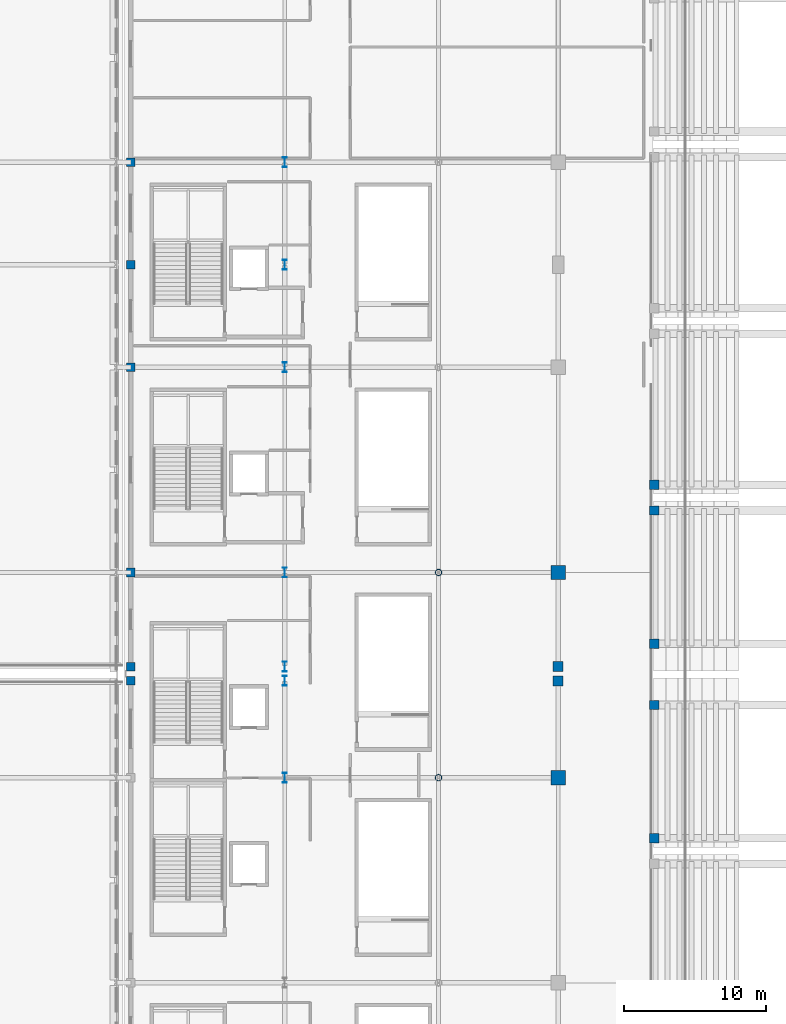
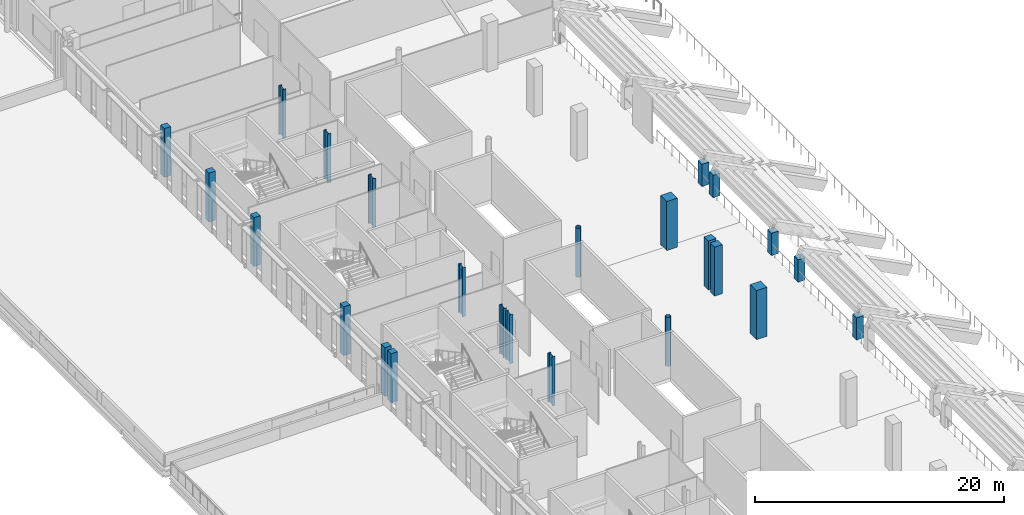
# One storey, part 4 of 74: 24 columns.
"""IFC4 building model written with IfcOpenShell, lengths in metres."""

from ifc_helpers import new_model, si_unit, direction, frame, origin, origin_2d, place, context, subcontext, project, spatial, rectangle, hollow_circle, i_section, extrude, material, material_profile, profile_set, type_object, element, save


model = new_model("IFC4")

# Units and contexts
model_context = context("Model", 3, precision=1e-05, world=origin(), true_north=direction((0.0, 1.0)))
body_context = subcontext(model_context, "Body", "Model", "MODEL_VIEW")
ifc_project = project(units=[si_unit("LENGTHUNIT", "METRE"), si_unit("AREAUNIT", "SQUARE_METRE"), si_unit("VOLUMEUNIT", "CUBIC_METRE"), si_unit("PLANEANGLEUNIT", "RADIAN"), si_unit("MASSUNIT", "GRAM", prefix="KILO")], contexts=[model_context])

# Site, building, storey
site_placement = place(None, origin())
site = spatial("IfcSite", under=ifc_project, at=site_placement, CompositionType="ELEMENT")
building_placement = place(site_placement, origin())
building = spatial("IfcBuilding", under=site, at=building_placement, Name="Koshinbarg Plaza Stadium", CompositionType="ELEMENT")
storey_placement = place(building_placement, frame((0.0, 0.0, 15.0)))
storey = spatial("IfcBuildingStorey", under=building, at=storey_placement, Name="L03", CompositionType="ELEMENT", Elevation=15.0)

# Columns
ifc_material_1 = material(Name="Concrete C40/50", Category="concrete")
ifc_material_profile_1 = material_profile(ifc_material_1, rectangle(XDim=0.60009765625, YDim=0.60009765625, at=origin_2d()), Name="RC 600x600")
ifc_profile_set_1 = profile_set([ifc_material_profile_1], Name="Concrete C40/50")
column_type_1 = type_object("IfcColumnType", Name="COL-RC-04", PredefinedType="COLUMN", material=ifc_profile_set_1)
for number, where, z_axis, x_axis, name in (
    (1, (24.60009765625, 75.5, 0.0), (0.0, 0.0, 1.0), (1.0, 0.0, 0.0), "L03 column 5/K"),
    (2, (24.60009765625, 76.5, 0.0), (0.0, 0.0, 1.0), (1.0, 0.0, 0.0), "L03 column 5/L"),
    (3, (24.60009765625, 83.10009765625, 0.0), (0.0, 0.0, 1.0), (1.0, 0.0, 0.0), "L03 column 5/M"),
    (4, (24.60009765625, 97.5, 0.0), (0.0, 0.0, 1.0), (1.0, 0.0, 0.0), "L03 column 5/N"),
    (5, (24.60009765625, 104.699951171875, 0.0), (0.0, 0.0, 1.0), (1.0, 0.0, 0.0), "L03 column 5/P"),
    (6, (24.60009765625, 111.89990234375, 0.0), (0.0, 0.0, 1.0), (1.0, 0.0, 0.0), "L03 column 5/Q"),
):
    element("IfcColumn", number, at=place(storey_placement, frame(where, z_axis=z_axis, x_axis=x_axis)), inside=storey, type_object=column_type_1, Name=name, PredefinedType="COLUMN", context=body_context, shape_type="SweptSolid", body=[
        extrude(rectangle(XDim=0.60009765625, YDim=0.60009765625, at=origin_2d()), origin(), (0.0, 0.0, 1.0), 4.800048828125),
    ])
ifc_material_profile_2 = material_profile(ifc_material_1, rectangle(XDim=0.64990234375, YDim=0.64990234375, at=origin_2d()), Name="RC 650x650")
ifc_profile_set_2 = profile_set([ifc_material_profile_2], Name="Concrete C40/50")
column_type_2 = type_object("IfcColumnType", Name="COL-RC-05", PredefinedType="COLUMN", material=ifc_profile_set_2)
for number, where, z_axis, x_axis, name in (
    (7, (61.340087890625, 64.449951171875, 0.0), (0.0, 0.0, 1.0), (1.0, 0.0, 0.0), "L03 bowl raker column UT-W04-L-CB"),
    (8, (61.340087890625, 73.800048828125, 0.0), (0.0, 0.0, 1.0), (1.0, 0.0, 0.0), "L03 bowl raker column UT-W04-R-CB"),
    (9, (61.340087890625, 78.10009765625, 0.0), (0.0, 0.0, 1.0), (1.0, 0.0, 0.0), "L03 bowl raker column UT-W05-L-CB"),
    (10, (61.340087890625, 87.449951171875, 0.0), (0.0, 0.0, 1.0), (1.0, 0.0, 0.0), "L03 bowl raker column UT-W05-R-CB"),
    (11, (61.340087890625, 89.25, 0.0), (0.0, 0.0, 1.0), (1.0, 0.0, 0.0), "L03 bowl raker column UT-W06-L-CB"),
):
    element("IfcColumn", number, at=place(storey_placement, frame(where, z_axis=z_axis, x_axis=x_axis)), inside=storey, type_object=column_type_2, Name=name, PredefinedType="COLUMN", context=body_context, shape_type="SweptSolid", body=[
        extrude(rectangle(XDim=0.64990234375, YDim=0.64990234375, at=origin_2d()), origin(), (0.0, 0.0, 1.0), 2.18798828125),
    ])
ifc_material_profile_3 = material_profile(ifc_material_1, rectangle(XDim=0.699951171875, YDim=0.699951171875, at=origin_2d()), Name="RC 700x700")
ifc_profile_set_3 = profile_set([ifc_material_profile_3], Name="Concrete C40/50")
column_type_3 = type_object("IfcColumnType", Name="COL-RC-06", PredefinedType="COLUMN", material=ifc_profile_set_3)
for number, where, z_axis, x_axis, name in (
    (12, (54.60009765625, 75.5, 0.0), (0.0, 0.0, 1.0), (1.0, 0.0, 0.0), "L03 column 8/K"),
    (13, (54.60009765625, 76.5, 0.0), (0.0, 0.0, 1.0), (1.0, 0.0, 0.0), "L03 column 8/L"),
):
    element("IfcColumn", number, at=place(storey_placement, frame(where, z_axis=z_axis, x_axis=x_axis)), inside=storey, type_object=column_type_3, Name=name, PredefinedType="COLUMN", context=body_context, shape_type="SweptSolid", body=[
        extrude(rectangle(XDim=0.699951171875, YDim=0.699951171875, at=origin_2d()), origin(), (0.0, 0.0, 1.0), 4.800048828125),
    ])
ifc_material_profile_4 = material_profile(ifc_material_1, rectangle(XDim=1.0, YDim=1.0, at=origin_2d()), Name="RC 1000x1000")
ifc_profile_set_4 = profile_set([ifc_material_profile_4], Name="Concrete C40/50")
column_type_4 = type_object("IfcColumnType", Name="COL-RC-11", PredefinedType="COLUMN", material=ifc_profile_set_4)
for number, where, z_axis, x_axis, name in (
    (14, (54.60009765625, 68.699951171875, 0.0), (0.0, 0.0, 1.0), (1.0, 0.0, 0.0), "L03 column 8/J"),
    (15, (54.60009765625, 83.10009765625, 0.0), (0.0, 0.0, 1.0), (1.0, 0.0, 0.0), "L03 column 8/M"),
):
    element("IfcColumn", number, at=place(storey_placement, frame(where, z_axis=z_axis, x_axis=x_axis)), inside=storey, type_object=column_type_4, Name=name, PredefinedType="COLUMN", context=body_context, shape_type="SweptSolid", body=[
        extrude(rectangle(XDim=1.0, YDim=1.0, at=origin_2d()), origin(), (0.0, 0.0, 1.0), 4.800048828125),
    ])
ifc_material_2 = material(Name="Steel S355", Category="steel")
ifc_material_profile_5 = material_profile(ifc_material_2, i_section(OverallWidth=0.300048828125, OverallDepth=0.699951171875, WebThickness=0.01708984375, FlangeThickness=0.031982421875, at=origin_2d()), Name="HEB 700")
ifc_profile_set_5 = profile_set([ifc_material_profile_5], Name="Steel S355")
column_type_5 = type_object("IfcColumnType", Name="COL-STL-04", PredefinedType="COLUMN", material=ifc_profile_set_5)
for number, where, z_axis, x_axis, name in (
    (16, (35.39990234375, 68.699951171875, 0.0), (0.0, 0.0, 1.0), (1.0, 0.0, 0.0), "L03 column 6/J"),
    (17, (35.39990234375, 75.5, 0.0), (0.0, 0.0, 1.0), (1.0, 0.0, 0.0), "L03 column 6/K"),
    (18, (35.39990234375, 76.5, 0.0), (0.0, 0.0, 1.0), (1.0, 0.0, 0.0), "L03 column 6/L"),
    (19, (35.39990234375, 83.10009765625, 0.0), (0.0, 0.0, 1.0), (1.0, 0.0, 0.0), "L03 column 6/M"),
    (20, (35.39990234375, 97.5, 0.0), (0.0, 0.0, 1.0), (1.0, 0.0, 0.0), "L03 column 6/N"),
    (21, (35.39990234375, 104.699951171875, 0.0), (0.0, 0.0, 1.0), (1.0, 0.0, 0.0), "L03 column 6/P"),
    (22, (35.39990234375, 111.89990234375, 0.0), (0.0, 0.0, 1.0), (1.0, 0.0, 0.0), "L03 column 6/Q"),
):
    element("IfcColumn", number, at=place(storey_placement, frame(where, z_axis=z_axis, x_axis=x_axis)), inside=storey, type_object=column_type_5, Name=name, PredefinedType="COLUMN", context=body_context, shape_type="SweptSolid", body=[
        extrude(i_section(OverallWidth=0.300048828125, OverallDepth=0.699951171875, WebThickness=0.01708984375, FlangeThickness=0.031982421875, at=origin_2d()), origin(), (0.0, 0.0, 1.0), 4.800048828125),
    ])
ifc_material_profile_6 = material_profile(ifc_material_2, hollow_circle(Radius=0.228515625, WallThickness=0.02001953125, at=origin_2d()), Name="CHS 457x20")
ifc_profile_set_6 = profile_set([ifc_material_profile_6], Name="Steel S355")
column_type_6 = type_object("IfcColumnType", Name="COL-STL-05", PredefinedType="COLUMN", material=ifc_profile_set_6)
for number, where, z_axis, x_axis, name in (
    (23, (46.199951171875, 68.699951171875, 0.0), (0.0, 0.0, 1.0), (1.0, 0.0, 0.0), "L03 column 7/J"),
    (24, (46.199951171875, 83.10009765625, 0.0), (0.0, 0.0, 1.0), (1.0, 0.0, 0.0), "L03 column 7/M"),
):
    element("IfcColumn", number, at=place(storey_placement, frame(where, z_axis=z_axis, x_axis=x_axis)), inside=storey, type_object=column_type_6, Name=name, PredefinedType="COLUMN", context=body_context, shape_type="SweptSolid", body=[
        extrude(hollow_circle(Radius=0.228515625, WallThickness=0.02001953125, at=origin_2d()), origin(), (0.0, 0.0, 1.0), 4.800048828125),
    ])

save(model, "model.ifc")
